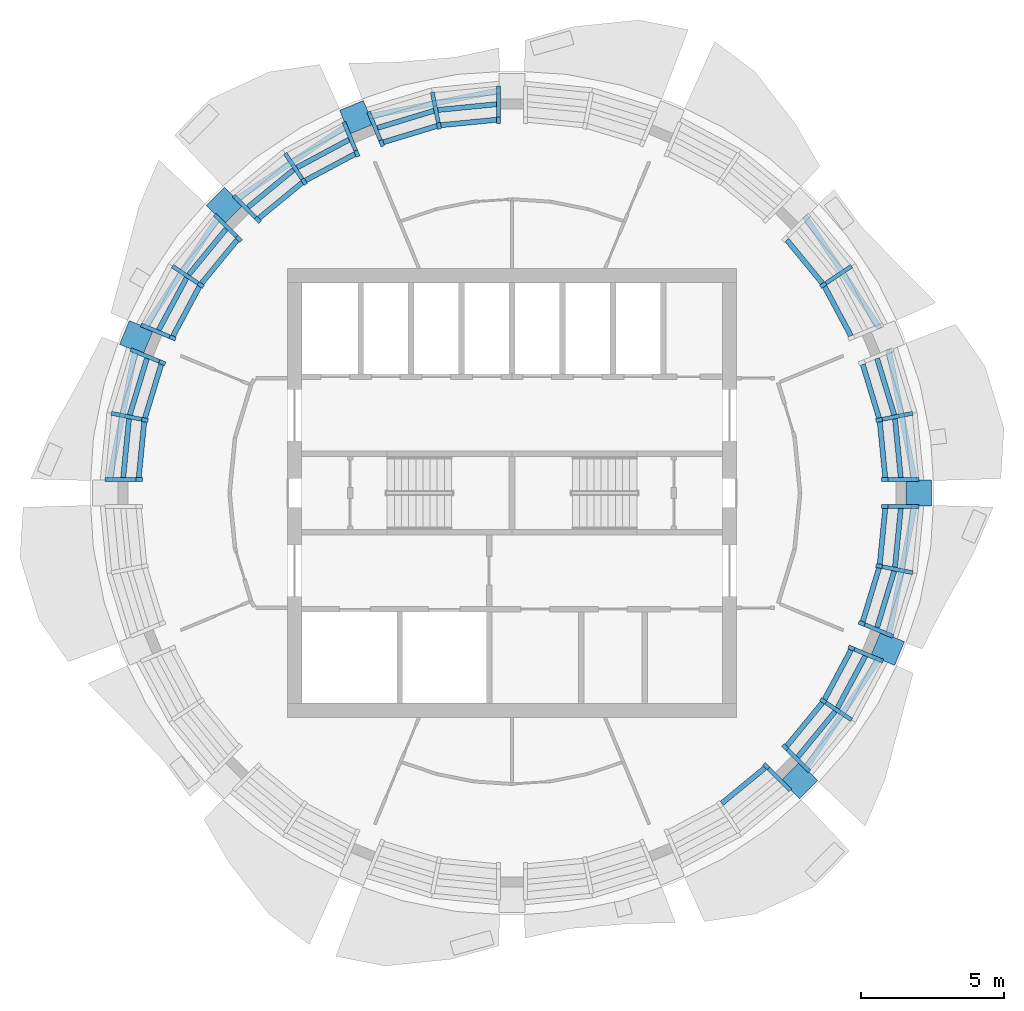
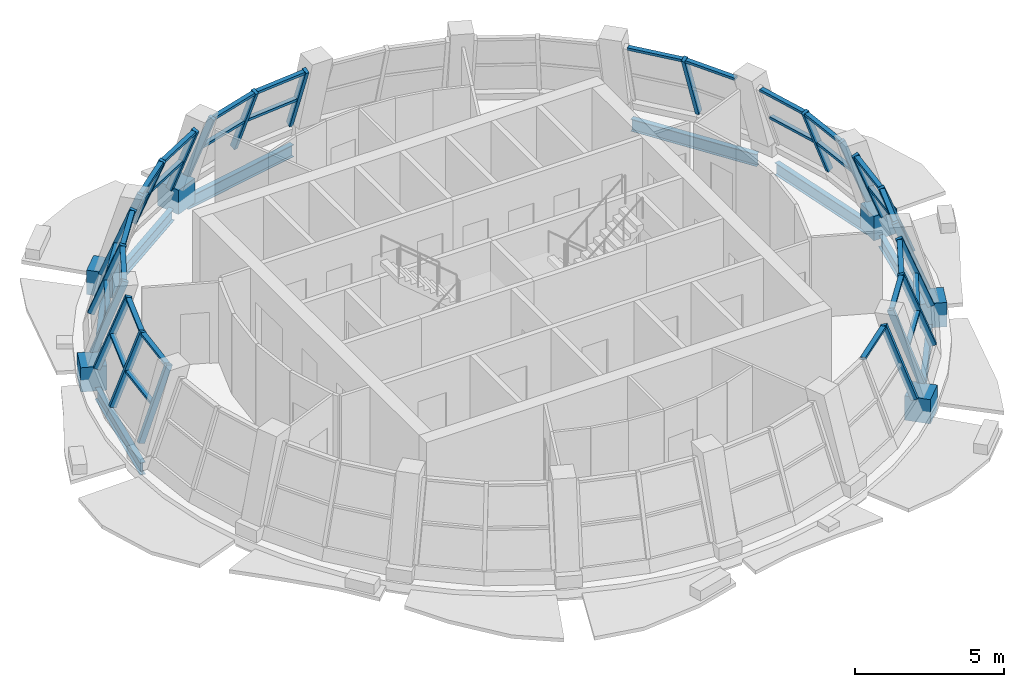
# One storey, part 2 of 12: 59 members, 8 beams, 9 elements without a shape of their own.
"""IFC4 building model written with IfcOpenShell, lengths in metres."""

from ifc_helpers import new_model, si_unit, direction, frame, origin, origin_2d, place, context, subcontext, project, spatial, rectangle, i_section, extrude, material, material_profile, profile_set, type_object, element, aggregate, save


model = new_model("IFC4")

# Units and contexts
model_context = context("Model", 3, precision=1e-05, world=origin(), true_north=direction((0.0, 1.0)))
body_context = subcontext(model_context, "Body", "Model", "MODEL_VIEW")
ifc_project = project(units=[si_unit("LENGTHUNIT", "METRE"), si_unit("AREAUNIT", "SQUARE_METRE"), si_unit("VOLUMEUNIT", "CUBIC_METRE"), si_unit("PLANEANGLEUNIT", "RADIAN"), si_unit("MASSUNIT", "GRAM", prefix="KILO")], contexts=[model_context])

# Site, building, storey
site_placement = place(None, origin())
site = spatial("IfcSite", under=ifc_project, at=site_placement, CompositionType="ELEMENT")
building_placement = place(site_placement, origin())
building = spatial("IfcBuilding", under=site, at=building_placement, Name="Polderwave Tower", CompositionType="ELEMENT")
storey_placement = place(building_placement, frame((0.0, 0.0, 231.199951171875)))
storey = spatial("IfcBuildingStorey", under=building, at=storey_placement, Name="L63", CompositionType="ELEMENT", Elevation=231.199951171875)

# Members
ifc_material_1 = material(Name="Concrete C60/75", Category="concrete")
ifc_material_profile_1 = material_profile(ifc_material_1, rectangle(XDim=0.89990234375, YDim=0.89990234375, at=origin_2d()), Name="RC 900x900")
ifc_profile_set_1 = profile_set([ifc_material_profile_1], Name="Concrete C60/75")
member_type_1 = type_object("IfcMemberType", Name="RC NODE 900x900 C60/75", PredefinedType="POST", material=ifc_profile_set_1)
for number, where, z_axis, x_axis, name in (
    (1, (14.253662109375, 0.0, -0.5), (0.0, 0.0, 1.0), (1.0, 0.0, 0.0), "Ring column node 01"),
    (2, (-5.45458984375, 13.168701171875, -0.5), (0.0, 0.0, 1.0), (-0.382683432365, 0.923879532511, 0.0), "Ring column node 06"),
    (3, (-10.078857421875, 10.078857421875, -0.5), (0.0, 0.0, 1.0), (-0.707106781187, 0.707106781187, 0.0), "Ring column node 07"),
    (4, (-13.168701171875, 5.45458984375, -0.5), (0.0, 0.0, 1.0), (-0.923879532511, 0.382683432365, 0.0), "Ring column node 08"),
    (5, (10.078857421875, -10.078857421875, -0.5), (0.0, 0.0, 1.0), (0.707106781187, -0.707106781187, 0.0), "Ring column node 15"),
    (6, (13.168701171875, -5.45458984375, -0.5), (0.0, 0.0, 1.0), (0.923879532511, -0.382683432365, 0.0), "Ring column node 16"),
):
    element("IfcMember", number, at=place(storey_placement, frame(where, z_axis=z_axis, x_axis=x_axis)), inside=storey, type_object=member_type_1, Name=name, PredefinedType="POST", context=body_context, shape_type="SweptSolid", body=[
        extrude(rectangle(XDim=0.89990234375, YDim=0.89990234375, at=origin_2d()), origin(), (0.0, 0.0, 1.0), 1.0),
    ])

# Beams
ifc_material_2 = material(Name="Steel S355", Category="steel")
ifc_material_profile_2 = material_profile(ifc_material_2, i_section(OverallWidth=0.199951171875, OverallDepth=0.5, WebThickness=0.01025390625, FlangeThickness=0.01611328125, at=origin_2d()), Name="IPE 500")
ifc_profile_set_2 = profile_set([ifc_material_profile_2], Name="Steel S355")
beam_type = type_object("IfcBeamType", Name="RING BEAM IPE 500", PredefinedType="BEAM", material=ifc_profile_set_2)
for number, where, z_axis, x_axis, name in (
    (7, (14.120361328125, 0.39990234375, -0.599853515625), (-0.19505281805, 0.980792739661, 0.0), (-0.980792739661, -0.19505281805, 0.0), "ST-RB-L63-00"),
    (8, (12.892578125, 5.773193359375, -0.599853515625), (-0.55555842186, 0.831477504146, 0.0), (-0.831477504146, -0.55555842186, 0.0), "ST-RB-L63-01"),
    (9, (-0.39990234375, 14.120361328125, -0.599853515625), (-0.980792739661, -0.19505281805, 0.0), (0.19505281805, -0.980792739661, 0.0), "ST-RB-L63-04"),
    (10, (-5.773193359375, 12.892578125, -0.599853515625), (-0.831477504146, -0.55555842186, 0.0), (0.55555842186, -0.831477504146, 0.0), "ST-RB-L63-05"),
    (11, (-10.267578125, 9.701904296875, -0.599853515625), (-0.55555842186, -0.831477504146, 0.0), (0.831477504146, -0.55555842186, 0.0), "ST-RB-L63-06"),
    (12, (-13.19873046875, 5.0341796875, -0.599853515625), (-0.19505281805, -0.980792739661, 0.0), (0.980792739661, -0.19505281805, 0.0), "ST-RB-L63-07"),
    (13, (10.267578125, -9.701904296875, -0.599853515625), (0.55555842186, 0.831477504146, 0.0), (-0.831477504146, 0.55555842186, 0.0), "ST-RB-L63-14"),
    (14, (13.19873046875, -5.0341796875, -0.599853515625), (0.19505281805, 0.980792739661, 0.0), (-0.980792739661, 0.19505281805, 0.0), "ST-RB-L63-15"),
):
    element("IfcBeam", number, at=place(storey_placement, frame(where, z_axis=z_axis, x_axis=x_axis)), inside=storey, type_object=beam_type, Name=name, PredefinedType="BEAM", context=body_context, shape_type="SweptSolid", body=[
        extrude(i_section(OverallWidth=0.199951171875, OverallDepth=0.5, WebThickness=0.01025390625, FlangeThickness=0.01611328125, at=origin_2d()), origin(), (0.0, 0.0, 1.0), 4.72509765625),
    ])

# Curtain wall, members
ifc_material_3 = material(Name="Aluminium 6063-T6 and glass", Category="aluminium")
curtain_wall_type = type_object("IfcCurtainWallType", Name="Sky floor glazing, leaning storey wall", PredefinedType="NOTDEFINED", material=ifc_material_3)
curtain_wall_1_placement = place(storey_placement, origin())
curtain_wall_1 = element("IfcCurtainWall", 15, at=curtain_wall_1_placement, inside=storey, type_object=curtain_wall_type, Name="CW10 L63 00", PredefinedType="NOTDEFINED")
ifc_material_4 = material(Name="Aluminium 6063-T6", Category="aluminium")
ifc_material_profile_3 = material_profile(ifc_material_4, rectangle(XDim=0.139892578125, YDim=0.239990234375, at=origin_2d()), Name="AL 140x240")
ifc_profile_set_3 = profile_set([ifc_material_profile_3], Name="Aluminium 6063-T6")
member_type_2 = type_object("IfcMemberType", Name="Sky floor glazing, leaning storey mullion 140x240", PredefinedType="MULLION", material=ifc_profile_set_3)
member_1_placement = place(storey_placement, frame((14.160400390625, 0.4697265625, 0.449951171875), z_axis=(-0.35639800773, 0.0, 0.934334233605), x_axis=(0.0, -1.0, 0.0)))
member_1 = element("IfcMember", 16, at=member_1_placement, type_object=member_type_2, Name="CW10 mullion 1", PredefinedType="MULLION", context=body_context, shape_type="SweptSolid", body=[
    extrude(rectangle(XDim=0.139892578125, YDim=0.239990234375, at=origin_2d()), origin(), (0.0, 0.0, 1.0), 3.05029296875),
])
member_2_placement = place(storey_placement, frame((13.93359375, 2.771484375, 0.449951171875), z_axis=(-0.349384012277, -0.069316507361, 0.934412132719), x_axis=(0.194603395436, -0.980882010481, 0.0)))
member_2 = element("IfcMember", 17, at=member_2_placement, type_object=member_type_2, Name="CW10 mullion 2", PredefinedType="MULLION", context=body_context, shape_type="SweptSolid", body=[
    extrude(rectangle(XDim=0.139892578125, YDim=0.239990234375, at=origin_2d()), origin(), (0.0, 0.0, 1.0), 3.050048828125),
])

# Curtain wall, member
curtain_wall_2_placement = place(storey_placement, origin())
curtain_wall_2 = element("IfcCurtainWall", 18, at=curtain_wall_2_placement, inside=storey, type_object=curtain_wall_type, Name="CW10 L63 01", PredefinedType="NOTDEFINED")
member_3_placement = place(storey_placement, frame((11.8125, 7.892578125, 0.449951171875), z_axis=(-0.296231272035, -0.197861038765, 0.934397154751), x_axis=(0.555425896487, -0.831566036771, 0.0)))
member_3 = element("IfcMember", 19, at=member_3_placement, type_object=member_type_2, Name="CW10 mullion 2", PredefinedType="MULLION", context=body_context, shape_type="SweptSolid", body=[
    extrude(rectangle(XDim=0.139892578125, YDim=0.239990234375, at=origin_2d()), origin(), (0.0, 0.0, 1.0), 3.05029296875),
])

# Curtain wall, members
curtain_wall_3_placement = place(storey_placement, origin())
curtain_wall_3 = element("IfcCurtainWall", 20, at=curtain_wall_3_placement, inside=storey, type_object=curtain_wall_type, Name="CW10 L63 04", PredefinedType="NOTDEFINED")
member_4_placement = place(storey_placement, frame((-0.4697265625, 14.160400390625, 0.449951171875), z_axis=(0.0, -0.35639800773, 0.934334233605), x_axis=(1.0, 0.0, 0.0)))
member_4 = element("IfcMember", 21, at=member_4_placement, type_object=member_type_2, Name="CW10 mullion 1", PredefinedType="MULLION", context=body_context, shape_type="SweptSolid", body=[
    extrude(rectangle(XDim=0.139892578125, YDim=0.239990234375, at=origin_2d()), origin(), (0.0, 0.0, 1.0), 3.05029296875),
])
member_5_placement = place(storey_placement, frame((-2.771484375, 13.93359375, 0.449951171875), z_axis=(0.069316507361, -0.349384012277, 0.934412132719), x_axis=(0.980882010481, 0.194603395436, 0.0)))
member_5 = element("IfcMember", 22, at=member_5_placement, type_object=member_type_2, Name="CW10 mullion 2", PredefinedType="MULLION", context=body_context, shape_type="SweptSolid", body=[
    extrude(rectangle(XDim=0.139892578125, YDim=0.239990234375, at=origin_2d()), origin(), (0.0, 0.0, 1.0), 3.050048828125),
])
member_6_placement = place(storey_placement, frame((-4.9853515625, 13.2626953125, 0.449951171875), z_axis=(0.136459270255, -0.32926301339, 0.934325818746), x_axis=(0.923806046663, 0.38286079474, 0.0)))
member_6 = element("IfcMember", 23, at=member_6_placement, type_object=member_type_2, Name="CW10 mullion 3", PredefinedType="MULLION", context=body_context, shape_type="SweptSolid", body=[
    extrude(rectangle(XDim=0.139892578125, YDim=0.239990234375, at=origin_2d()), origin(), (0.0, 0.0, 1.0), 3.050537109375),
])

curtain_wall_4_placement = place(storey_placement, origin())
curtain_wall_4 = element("IfcCurtainWall", 24, at=curtain_wall_4_placement, inside=storey, type_object=curtain_wall_type, Name="CW10 L63 05", PredefinedType="NOTDEFINED")
member_7_placement = place(storey_placement, frame((-5.85302734375, 12.9033203125, 0.449951171875), z_axis=(0.136459270255, -0.32926301339, 0.934325818746), x_axis=(0.923806046663, 0.38286079474, 0.0)))
member_7 = element("IfcMember", 25, at=member_7_placement, type_object=member_type_2, Name="CW10 mullion 1", PredefinedType="MULLION", context=body_context, shape_type="SweptSolid", body=[
    extrude(rectangle(XDim=0.139892578125, YDim=0.239990234375, at=origin_2d()), origin(), (0.0, 0.0, 1.0), 3.050537109375),
])
member_8_placement = place(storey_placement, frame((-7.892578125, 11.8125, 0.449951171875), z_axis=(0.197861038765, -0.296231272035, 0.934397154751), x_axis=(0.831566036771, 0.555425896487, 0.0)))
member_8 = element("IfcMember", 26, at=member_8_placement, type_object=member_type_2, Name="CW10 mullion 2", PredefinedType="MULLION", context=body_context, shape_type="SweptSolid", body=[
    extrude(rectangle(XDim=0.139892578125, YDim=0.239990234375, at=origin_2d()), origin(), (0.0, 0.0, 1.0), 3.05029296875),
])
member_9_placement = place(storey_placement, frame((-9.681396484375, 10.344970703125, 0.449951171875), z_axis=(0.252259079378, -0.251938953643, 0.934286958332), x_axis=(0.706657682065, 0.707555595257, 0.0)))
member_9 = element("IfcMember", 27, at=member_9_placement, type_object=member_type_2, Name="CW10 mullion 3", PredefinedType="MULLION", context=body_context, shape_type="SweptSolid", body=[
    extrude(rectangle(XDim=0.139892578125, YDim=0.239990234375, at=origin_2d()), origin(), (0.0, 0.0, 1.0), 3.050537109375),
])

curtain_wall_5_placement = place(storey_placement, origin())
curtain_wall_5 = element("IfcCurtainWall", 28, at=curtain_wall_5_placement, inside=storey, type_object=curtain_wall_type, Name="CW10 L63 06", PredefinedType="NOTDEFINED")
member_10_placement = place(storey_placement, frame((-10.344970703125, 9.681396484375, 0.449951171875), z_axis=(0.251938953643, -0.252259079378, 0.934286958332), x_axis=(0.707555595257, 0.706657682065, 0.0)))
member_10 = element("IfcMember", 29, at=member_10_placement, type_object=member_type_2, Name="CW10 mullion 1", PredefinedType="MULLION", context=body_context, shape_type="SweptSolid", body=[
    extrude(rectangle(XDim=0.139892578125, YDim=0.239990234375, at=origin_2d()), origin(), (0.0, 0.0, 1.0), 3.050537109375),
])
member_11_placement = place(storey_placement, frame((-11.8125, 7.892578125, 0.449951171875), z_axis=(0.296231272035, -0.197861038765, 0.934397154751), x_axis=(0.555425896487, 0.831566036771, 0.0)))
member_11 = element("IfcMember", 30, at=member_11_placement, type_object=member_type_2, Name="CW10 mullion 2", PredefinedType="MULLION", context=body_context, shape_type="SweptSolid", body=[
    extrude(rectangle(XDim=0.139892578125, YDim=0.239990234375, at=origin_2d()), origin(), (0.0, 0.0, 1.0), 3.05029296875),
])
member_12_placement = place(storey_placement, frame((-12.9033203125, 5.85302734375, 0.449951171875), z_axis=(0.32926301339, -0.136459270255, 0.934325818746), x_axis=(0.38286079474, 0.923806046663, 0.0)))
member_12 = element("IfcMember", 31, at=member_12_placement, type_object=member_type_2, Name="CW10 mullion 3", PredefinedType="MULLION", context=body_context, shape_type="SweptSolid", body=[
    extrude(rectangle(XDim=0.139892578125, YDim=0.239990234375, at=origin_2d()), origin(), (0.0, 0.0, 1.0), 3.050537109375),
])

curtain_wall_6_placement = place(storey_placement, origin())
curtain_wall_6 = element("IfcCurtainWall", 32, at=curtain_wall_6_placement, inside=storey, type_object=curtain_wall_type, Name="CW10 L63 07", PredefinedType="NOTDEFINED")
member_13_placement = place(storey_placement, frame((-13.2626953125, 4.9853515625, 0.449951171875), z_axis=(0.32926301339, -0.136459270255, 0.934325818746), x_axis=(0.38286079474, 0.923806046663, 0.0)))
member_13 = element("IfcMember", 33, at=member_13_placement, type_object=member_type_2, Name="CW10 mullion 1", PredefinedType="MULLION", context=body_context, shape_type="SweptSolid", body=[
    extrude(rectangle(XDim=0.139892578125, YDim=0.239990234375, at=origin_2d()), origin(), (0.0, 0.0, 1.0), 3.050537109375),
])
member_14_placement = place(storey_placement, frame((-13.93359375, 2.771484375, 0.449951171875), z_axis=(0.349384012277, -0.069316507361, 0.934412132719), x_axis=(0.194603395436, 0.980882010481, 0.0)))
member_14 = element("IfcMember", 34, at=member_14_placement, type_object=member_type_2, Name="CW10 mullion 2", PredefinedType="MULLION", context=body_context, shape_type="SweptSolid", body=[
    extrude(rectangle(XDim=0.139892578125, YDim=0.239990234375, at=origin_2d()), origin(), (0.0, 0.0, 1.0), 3.050048828125),
])
member_15_placement = place(storey_placement, frame((-14.160400390625, 0.4697265625, 0.449951171875), z_axis=(0.35639800773, 0.0, 0.934334233605), x_axis=(0.0, 1.0, 0.0)))
member_15 = element("IfcMember", 35, at=member_15_placement, type_object=member_type_2, Name="CW10 mullion 3", PredefinedType="MULLION", context=body_context, shape_type="SweptSolid", body=[
    extrude(rectangle(XDim=0.139892578125, YDim=0.239990234375, at=origin_2d()), origin(), (0.0, 0.0, 1.0), 3.05029296875),
])

# Curtain wall, member
curtain_wall_7_placement = place(storey_placement, origin())
curtain_wall_7 = element("IfcCurtainWall", 36, at=curtain_wall_7_placement, inside=storey, type_object=curtain_wall_type, Name="CW10 L63 13", PredefinedType="NOTDEFINED")
member_16_placement = place(storey_placement, frame((9.681396484375, -10.344970703125, 0.449951171875), z_axis=(-0.252259079378, 0.251938953643, 0.934286958332), x_axis=(-0.706657682065, -0.707555595257, 0.0)))
member_16 = element("IfcMember", 37, at=member_16_placement, type_object=member_type_2, Name="CW10 mullion 3", PredefinedType="MULLION", context=body_context, shape_type="SweptSolid", body=[
    extrude(rectangle(XDim=0.139892578125, YDim=0.239990234375, at=origin_2d()), origin(), (0.0, 0.0, 1.0), 3.050537109375),
])

# Curtain wall, members
curtain_wall_8_placement = place(storey_placement, origin())
curtain_wall_8 = element("IfcCurtainWall", 38, at=curtain_wall_8_placement, inside=storey, type_object=curtain_wall_type, Name="CW10 L63 14", PredefinedType="NOTDEFINED")
member_17_placement = place(storey_placement, frame((10.344970703125, -9.681396484375, 0.449951171875), z_axis=(-0.251938953643, 0.252259079378, 0.934286958332), x_axis=(-0.707555595257, -0.706657682065, 0.0)))
member_17 = element("IfcMember", 39, at=member_17_placement, type_object=member_type_2, Name="CW10 mullion 1", PredefinedType="MULLION", context=body_context, shape_type="SweptSolid", body=[
    extrude(rectangle(XDim=0.139892578125, YDim=0.239990234375, at=origin_2d()), origin(), (0.0, 0.0, 1.0), 3.050537109375),
])
member_18_placement = place(storey_placement, frame((11.8125, -7.892578125, 0.449951171875), z_axis=(-0.296231272035, 0.197861038765, 0.934397154751), x_axis=(-0.555425896487, -0.831566036771, 0.0)))
member_18 = element("IfcMember", 40, at=member_18_placement, type_object=member_type_2, Name="CW10 mullion 2", PredefinedType="MULLION", context=body_context, shape_type="SweptSolid", body=[
    extrude(rectangle(XDim=0.139892578125, YDim=0.239990234375, at=origin_2d()), origin(), (0.0, 0.0, 1.0), 3.05029296875),
])
member_19_placement = place(storey_placement, frame((12.9033203125, -5.85302734375, 0.449951171875), z_axis=(-0.32926301339, 0.136459270255, 0.934325818746), x_axis=(-0.38286079474, -0.923806046663, 0.0)))
member_19 = element("IfcMember", 41, at=member_19_placement, type_object=member_type_2, Name="CW10 mullion 3", PredefinedType="MULLION", context=body_context, shape_type="SweptSolid", body=[
    extrude(rectangle(XDim=0.139892578125, YDim=0.239990234375, at=origin_2d()), origin(), (0.0, 0.0, 1.0), 3.050537109375),
])

curtain_wall_9_placement = place(storey_placement, origin())
curtain_wall_9 = element("IfcCurtainWall", 42, at=curtain_wall_9_placement, inside=storey, type_object=curtain_wall_type, Name="CW10 L63 15", PredefinedType="NOTDEFINED")
member_20_placement = place(storey_placement, frame((13.2626953125, -4.9853515625, 0.449951171875), z_axis=(-0.32926301339, 0.136459270255, 0.934325818746), x_axis=(-0.38286079474, -0.923806046663, 0.0)))
member_20 = element("IfcMember", 43, at=member_20_placement, type_object=member_type_2, Name="CW10 mullion 1", PredefinedType="MULLION", context=body_context, shape_type="SweptSolid", body=[
    extrude(rectangle(XDim=0.139892578125, YDim=0.239990234375, at=origin_2d()), origin(), (0.0, 0.0, 1.0), 3.050537109375),
])
member_21_placement = place(storey_placement, frame((13.93359375, -2.771484375, 0.449951171875), z_axis=(-0.349384012277, 0.069316507361, 0.934412132719), x_axis=(-0.194603395436, -0.980882010481, 0.0)))
member_21 = element("IfcMember", 44, at=member_21_placement, type_object=member_type_2, Name="CW10 mullion 2", PredefinedType="MULLION", context=body_context, shape_type="SweptSolid", body=[
    extrude(rectangle(XDim=0.139892578125, YDim=0.239990234375, at=origin_2d()), origin(), (0.0, 0.0, 1.0), 3.050048828125),
])
member_22_placement = place(storey_placement, frame((14.160400390625, -0.4697265625, 0.449951171875), z_axis=(-0.35639800773, 0.0, 0.934334233605), x_axis=(0.0, -1.0, 0.0)))
member_22 = element("IfcMember", 45, at=member_22_placement, type_object=member_type_2, Name="CW10 mullion 3", PredefinedType="MULLION", context=body_context, shape_type="SweptSolid", body=[
    extrude(rectangle(XDim=0.139892578125, YDim=0.239990234375, at=origin_2d()), origin(), (0.0, 0.0, 1.0), 3.05029296875),
])

# Member
ifc_material_profile_4 = material_profile(ifc_material_4, rectangle(XDim=0.179931640625, YDim=0.10009765625, at=origin_2d()), Name="AL 100x180")
ifc_profile_set_4 = profile_set([ifc_material_profile_4], Name="Aluminium 6063-T6")
member_type_3 = type_object("IfcMemberType", Name="Sky floor glazing, leaning storey transom 100x180", PredefinedType="USERDEFINED", material=ifc_profile_set_4)
member_23_placement = place(storey_placement, frame((13.62890625, 0.539306640625, 1.824951171875), z_axis=(-0.097752337665, 0.995210771888, 0.0), x_axis=(-0.995210771888, -0.097752337665, 0.0)))
member_23 = element("IfcMember", 46, at=member_23_placement, type_object=member_type_3, Name="CW10 transom 1", ObjectType="TRANSOM", PredefinedType="USERDEFINED", context=body_context, shape_type="SweptSolid", body=[
    extrude(rectangle(XDim=0.179931640625, YDim=0.10009765625, at=origin_2d()), origin(), (0.0, 0.0, 1.0), 2.070556640625),
])

member_24_placement = place(storey_placement, frame((13.08544921875, 0.539306640625, 3.25), z_axis=(-0.097706619467, 0.995215261394, 0.0), x_axis=(-0.995215261394, -0.097706619467, 0.0)))
member_24 = element("IfcMember", 47, at=member_24_placement, type_object=member_type_3, Name="CW10 transom 2", ObjectType="TRANSOM", PredefinedType="USERDEFINED", context=body_context, shape_type="SweptSolid", body=[
    extrude(rectangle(XDim=0.179931640625, YDim=0.10009765625, at=origin_2d()), origin(), (0.0, 0.0, 1.0), 1.9638671875),
])

member_25_placement = place(storey_placement, frame((13.3994140625, 2.736572265625, 1.824951171875), z_axis=(-0.290354335272, 0.956919202435, 0.0), x_axis=(-0.956919202435, -0.290354335272, 0.0)))
member_25 = element("IfcMember", 48, at=member_25_placement, type_object=member_type_3, Name="CW10 transom 3", ObjectType="TRANSOM", PredefinedType="USERDEFINED", context=body_context, shape_type="SweptSolid", body=[
    extrude(rectangle(XDim=0.179931640625, YDim=0.10009765625, at=origin_2d()), origin(), (0.0, 0.0, 1.0), 2.070068359375),
])

member_26_placement = place(storey_placement, frame((12.866455078125, 2.630615234375, 3.25), z_axis=(-0.290369772584, 0.956914518215, 0.0), x_axis=(-0.956914518215, -0.290369772584, 0.0)))
member_26 = element("IfcMember", 49, at=member_26_placement, type_object=member_type_3, Name="CW10 transom 4", ObjectType="TRANSOM", PredefinedType="USERDEFINED", context=body_context, shape_type="SweptSolid", body=[
    extrude(rectangle(XDim=0.179931640625, YDim=0.10009765625, at=origin_2d()), origin(), (0.0, 0.0, 1.0), 1.963134765625),
])

aggregate(curtain_wall_1, [member_1, member_2, member_23, member_24, member_25, member_26])

member_27_placement = place(storey_placement, frame((11.883544921875, 5.505859375, 3.25), z_axis=(-0.471317248998, 0.881963746872, 0.0), x_axis=(-0.881963746872, -0.471317248998, 0.0)))
member_27 = element("IfcMember", 50, at=member_27_placement, type_object=member_type_3, Name="CW10 transom 2", ObjectType="TRANSOM", PredefinedType="USERDEFINED", context=body_context, shape_type="SweptSolid", body=[
    extrude(rectangle(XDim=0.179931640625, YDim=0.10009765625, at=origin_2d()), origin(), (0.0, 0.0, 1.0), 1.963623046875),
])

member_28_placement = place(storey_placement, frame((10.880615234375, 7.353759765625, 3.25), z_axis=(-0.634665186875, 0.772787228524, 0.0), x_axis=(-0.772787228524, -0.634665186875, 0.0)))
member_28 = element("IfcMember", 51, at=member_28_placement, type_object=member_type_3, Name="CW10 transom 4", ObjectType="TRANSOM", PredefinedType="USERDEFINED", context=body_context, shape_type="SweptSolid", body=[
    extrude(rectangle(XDim=0.179931640625, YDim=0.10009765625, at=origin_2d()), origin(), (0.0, 0.0, 1.0), 1.9638671875),
])

aggregate(curtain_wall_2, [member_3, member_27, member_28])

member_29_placement = place(storey_placement, frame((-0.539306640625, 13.62890625, 1.824951171875), z_axis=(-0.995210771888, -0.097752337665, 0.0), x_axis=(0.097752337665, -0.995210771888, 0.0)))
member_29 = element("IfcMember", 52, at=member_29_placement, type_object=member_type_3, Name="CW10 transom 1", ObjectType="TRANSOM", PredefinedType="USERDEFINED", context=body_context, shape_type="SweptSolid", body=[
    extrude(rectangle(XDim=0.179931640625, YDim=0.10009765625, at=origin_2d()), origin(), (0.0, 0.0, 1.0), 2.070556640625),
])

member_30_placement = place(storey_placement, frame((-0.539306640625, 13.08544921875, 3.25), z_axis=(-0.995215261394, -0.097706619467, 0.0), x_axis=(0.097706619467, -0.995215261394, 0.0)))
member_30 = element("IfcMember", 53, at=member_30_placement, type_object=member_type_3, Name="CW10 transom 2", ObjectType="TRANSOM", PredefinedType="USERDEFINED", context=body_context, shape_type="SweptSolid", body=[
    extrude(rectangle(XDim=0.179931640625, YDim=0.10009765625, at=origin_2d()), origin(), (0.0, 0.0, 1.0), 1.9638671875),
])

member_31_placement = place(storey_placement, frame((-2.736572265625, 13.3994140625, 1.824951171875), z_axis=(-0.956919202435, -0.290354335272, 0.0), x_axis=(0.290354335272, -0.956919202435, 0.0)))
member_31 = element("IfcMember", 54, at=member_31_placement, type_object=member_type_3, Name="CW10 transom 3", ObjectType="TRANSOM", PredefinedType="USERDEFINED", context=body_context, shape_type="SweptSolid", body=[
    extrude(rectangle(XDim=0.179931640625, YDim=0.10009765625, at=origin_2d()), origin(), (0.0, 0.0, 1.0), 2.070068359375),
])

member_32_placement = place(storey_placement, frame((-2.630615234375, 12.866455078125, 3.25), z_axis=(-0.956914518215, -0.290369772584, 0.0), x_axis=(0.290369772584, -0.956914518215, 0.0)))
member_32 = element("IfcMember", 55, at=member_32_placement, type_object=member_type_3, Name="CW10 transom 4", ObjectType="TRANSOM", PredefinedType="USERDEFINED", context=body_context, shape_type="SweptSolid", body=[
    extrude(rectangle(XDim=0.179931640625, YDim=0.10009765625, at=origin_2d()), origin(), (0.0, 0.0, 1.0), 1.963134765625),
])

aggregate(curtain_wall_3, [member_4, member_5, member_6, member_29, member_30, member_31, member_32])

member_33_placement = place(storey_placement, frame((-5.7138671875, 12.3857421875, 1.824951171875), z_axis=(-0.881853058462, -0.471524318865, 0.0), x_axis=(0.471524318865, -0.881853058462, 0.0)))
member_33 = element("IfcMember", 56, at=member_33_placement, type_object=member_type_3, Name="CW10 transom 1", ObjectType="TRANSOM", PredefinedType="USERDEFINED", context=body_context, shape_type="SweptSolid", body=[
    extrude(rectangle(XDim=0.179931640625, YDim=0.10009765625, at=origin_2d()), origin(), (0.0, 0.0, 1.0), 2.070556640625),
])

member_34_placement = place(storey_placement, frame((-5.505859375, 11.883544921875, 3.25), z_axis=(-0.881963746872, -0.471317248998, 0.0), x_axis=(0.471317248998, -0.881963746872, 0.0)))
member_34 = element("IfcMember", 57, at=member_34_placement, type_object=member_type_3, Name="CW10 transom 2", ObjectType="TRANSOM", PredefinedType="USERDEFINED", context=body_context, shape_type="SweptSolid", body=[
    extrude(rectangle(XDim=0.179931640625, YDim=0.10009765625, at=origin_2d()), origin(), (0.0, 0.0, 1.0), 1.963623046875),
])

member_35_placement = place(storey_placement, frame((-7.655517578125, 11.33203125, 1.824951171875), z_axis=(-0.773031856348, -0.634367203653, 0.0), x_axis=(0.634367203653, -0.773031856348, 0.0)))
member_35 = element("IfcMember", 58, at=member_35_placement, type_object=member_type_3, Name="CW10 transom 3", ObjectType="TRANSOM", PredefinedType="USERDEFINED", context=body_context, shape_type="SweptSolid", body=[
    extrude(rectangle(XDim=0.179931640625, YDim=0.10009765625, at=origin_2d()), origin(), (0.0, 0.0, 1.0), 2.070556640625),
])

member_36_placement = place(storey_placement, frame((-7.353759765625, 10.880615234375, 3.25), z_axis=(-0.772787228524, -0.634665186875, 0.0), x_axis=(0.634665186875, -0.772787228524, 0.0)))
member_36 = element("IfcMember", 59, at=member_36_placement, type_object=member_type_3, Name="CW10 transom 4", ObjectType="TRANSOM", PredefinedType="USERDEFINED", context=body_context, shape_type="SweptSolid", body=[
    extrude(rectangle(XDim=0.179931640625, YDim=0.10009765625, at=origin_2d()), origin(), (0.0, 0.0, 1.0), 1.9638671875),
])

aggregate(curtain_wall_4, [member_7, member_8, member_9, member_33, member_34, member_35, member_36])

member_37_placement = place(storey_placement, frame((-10.0185546875, 9.256103515625, 1.824951171875), z_axis=(-0.634367203653, -0.773031856348, 0.0), x_axis=(0.773031856348, -0.634367203653, 0.0)))
member_37 = element("IfcMember", 60, at=member_37_placement, type_object=member_type_3, Name="CW10 transom 1", ObjectType="TRANSOM", PredefinedType="USERDEFINED", context=body_context, shape_type="SweptSolid", body=[
    extrude(rectangle(XDim=0.179931640625, YDim=0.10009765625, at=origin_2d()), origin(), (0.0, 0.0, 1.0), 2.070556640625),
])

member_38_placement = place(storey_placement, frame((-9.63427734375, 8.871337890625, 3.25), z_axis=(-0.634665186875, -0.772787228524, 0.0), x_axis=(0.772787228524, -0.634665186875, 0.0)))
member_38 = element("IfcMember", 61, at=member_38_placement, type_object=member_type_3, Name="CW10 transom 2", ObjectType="TRANSOM", PredefinedType="USERDEFINED", context=body_context, shape_type="SweptSolid", body=[
    extrude(rectangle(XDim=0.179931640625, YDim=0.10009765625, at=origin_2d()), origin(), (0.0, 0.0, 1.0), 1.9638671875),
])

member_39_placement = place(storey_placement, frame((-11.409423828125, 7.539794921875, 1.824951171875), z_axis=(-0.471524318865, -0.881853058462, 0.0), x_axis=(0.881853058462, -0.471524318865, 0.0)))
member_39 = element("IfcMember", 62, at=member_39_placement, type_object=member_type_3, Name="CW10 transom 3", ObjectType="TRANSOM", PredefinedType="USERDEFINED", context=body_context, shape_type="SweptSolid", body=[
    extrude(rectangle(XDim=0.179931640625, YDim=0.10009765625, at=origin_2d()), origin(), (0.0, 0.0, 1.0), 2.070556640625),
])

member_40_placement = place(storey_placement, frame((-10.9580078125, 7.23779296875, 3.25), z_axis=(-0.471317248998, -0.881963746872, 0.0), x_axis=(0.881963746872, -0.471317248998, 0.0)))
member_40 = element("IfcMember", 63, at=member_40_placement, type_object=member_type_3, Name="CW10 transom 4", ObjectType="TRANSOM", PredefinedType="USERDEFINED", context=body_context, shape_type="SweptSolid", body=[
    extrude(rectangle(XDim=0.179931640625, YDim=0.10009765625, at=origin_2d()), origin(), (0.0, 0.0, 1.0), 1.963623046875),
])

aggregate(curtain_wall_5, [member_10, member_11, member_12, member_37, member_38, member_39, member_40])

member_41_placement = place(storey_placement, frame((-12.79833984375, 4.717529296875, 1.824951171875), z_axis=(-0.290354335272, -0.956919202435, 0.0), x_axis=(0.956919202435, -0.290354335272, 0.0)))
member_41 = element("IfcMember", 64, at=member_41_placement, type_object=member_type_3, Name="CW10 transom 1", ObjectType="TRANSOM", PredefinedType="USERDEFINED", context=body_context, shape_type="SweptSolid", body=[
    extrude(rectangle(XDim=0.179931640625, YDim=0.10009765625, at=origin_2d()), origin(), (0.0, 0.0, 1.0), 2.070068359375),
])

member_42_placement = place(storey_placement, frame((-12.29638671875, 4.50927734375, 3.25), z_axis=(-0.290369772584, -0.956914518215, 0.0), x_axis=(0.956914518215, -0.290369772584, 0.0)))
member_42 = element("IfcMember", 65, at=member_42_placement, type_object=member_type_3, Name="CW10 transom 2", ObjectType="TRANSOM", PredefinedType="USERDEFINED", context=body_context, shape_type="SweptSolid", body=[
    extrude(rectangle(XDim=0.179931640625, YDim=0.10009765625, at=origin_2d()), origin(), (0.0, 0.0, 1.0), 1.963134765625),
])

member_43_placement = place(storey_placement, frame((-13.426513671875, 2.599853515625, 1.824951171875), z_axis=(-0.097752337665, -0.995210771888, 0.0), x_axis=(0.995210771888, -0.097752337665, 0.0)))
member_43 = element("IfcMember", 66, at=member_43_placement, type_object=member_type_3, Name="CW10 transom 3", ObjectType="TRANSOM", PredefinedType="USERDEFINED", context=body_context, shape_type="SweptSolid", body=[
    extrude(rectangle(XDim=0.179931640625, YDim=0.10009765625, at=origin_2d()), origin(), (0.0, 0.0, 1.0), 2.070556640625),
])

member_44_placement = place(storey_placement, frame((-12.8935546875, 2.493896484375, 3.25), z_axis=(-0.097706619467, -0.995215261394, 0.0), x_axis=(0.995215261394, -0.097706619467, 0.0)))
member_44 = element("IfcMember", 67, at=member_44_placement, type_object=member_type_3, Name="CW10 transom 4", ObjectType="TRANSOM", PredefinedType="USERDEFINED", context=body_context, shape_type="SweptSolid", body=[
    extrude(rectangle(XDim=0.179931640625, YDim=0.10009765625, at=origin_2d()), origin(), (0.0, 0.0, 1.0), 1.9638671875),
])

aggregate(curtain_wall_6, [member_13, member_14, member_15, member_41, member_42, member_43, member_44])

member_45_placement = place(storey_placement, frame((7.353759765625, -10.880615234375, 3.25), z_axis=(0.772787228524, 0.634665186875, 0.0), x_axis=(-0.634665186875, 0.772787228524, 0.0)))
member_45 = element("IfcMember", 68, at=member_45_placement, type_object=member_type_3, Name="CW10 transom 4", ObjectType="TRANSOM", PredefinedType="USERDEFINED", context=body_context, shape_type="SweptSolid", body=[
    extrude(rectangle(XDim=0.179931640625, YDim=0.10009765625, at=origin_2d()), origin(), (0.0, 0.0, 1.0), 1.9638671875),
])

aggregate(curtain_wall_7, [member_16, member_45])

member_46_placement = place(storey_placement, frame((10.0185546875, -9.256103515625, 1.824951171875), z_axis=(0.634367203653, 0.773031856348, 0.0), x_axis=(-0.773031856348, 0.634367203653, 0.0)))
member_46 = element("IfcMember", 69, at=member_46_placement, type_object=member_type_3, Name="CW10 transom 1", ObjectType="TRANSOM", PredefinedType="USERDEFINED", context=body_context, shape_type="SweptSolid", body=[
    extrude(rectangle(XDim=0.179931640625, YDim=0.10009765625, at=origin_2d()), origin(), (0.0, 0.0, 1.0), 2.070556640625),
])

member_47_placement = place(storey_placement, frame((9.63427734375, -8.871337890625, 3.25), z_axis=(0.634665186875, 0.772787228524, 0.0), x_axis=(-0.772787228524, 0.634665186875, 0.0)))
member_47 = element("IfcMember", 70, at=member_47_placement, type_object=member_type_3, Name="CW10 transom 2", ObjectType="TRANSOM", PredefinedType="USERDEFINED", context=body_context, shape_type="SweptSolid", body=[
    extrude(rectangle(XDim=0.179931640625, YDim=0.10009765625, at=origin_2d()), origin(), (0.0, 0.0, 1.0), 1.9638671875),
])

member_48_placement = place(storey_placement, frame((11.409423828125, -7.539794921875, 1.824951171875), z_axis=(0.471524318865, 0.881853058462, 0.0), x_axis=(-0.881853058462, 0.471524318865, 0.0)))
member_48 = element("IfcMember", 71, at=member_48_placement, type_object=member_type_3, Name="CW10 transom 3", ObjectType="TRANSOM", PredefinedType="USERDEFINED", context=body_context, shape_type="SweptSolid", body=[
    extrude(rectangle(XDim=0.179931640625, YDim=0.10009765625, at=origin_2d()), origin(), (0.0, 0.0, 1.0), 2.070556640625),
])

member_49_placement = place(storey_placement, frame((10.9580078125, -7.23779296875, 3.25), z_axis=(0.471317248998, 0.881963746872, 0.0), x_axis=(-0.881963746872, 0.471317248998, 0.0)))
member_49 = element("IfcMember", 72, at=member_49_placement, type_object=member_type_3, Name="CW10 transom 4", ObjectType="TRANSOM", PredefinedType="USERDEFINED", context=body_context, shape_type="SweptSolid", body=[
    extrude(rectangle(XDim=0.179931640625, YDim=0.10009765625, at=origin_2d()), origin(), (0.0, 0.0, 1.0), 1.963623046875),
])

aggregate(curtain_wall_8, [member_17, member_18, member_19, member_46, member_47, member_48, member_49])

member_50_placement = place(storey_placement, frame((12.79833984375, -4.717529296875, 1.824951171875), z_axis=(0.290354335272, 0.956919202435, 0.0), x_axis=(-0.956919202435, 0.290354335272, 0.0)))
member_50 = element("IfcMember", 73, at=member_50_placement, type_object=member_type_3, Name="CW10 transom 1", ObjectType="TRANSOM", PredefinedType="USERDEFINED", context=body_context, shape_type="SweptSolid", body=[
    extrude(rectangle(XDim=0.179931640625, YDim=0.10009765625, at=origin_2d()), origin(), (0.0, 0.0, 1.0), 2.070068359375),
])

member_51_placement = place(storey_placement, frame((12.29638671875, -4.50927734375, 3.25), z_axis=(0.290369772584, 0.956914518215, 0.0), x_axis=(-0.956914518215, 0.290369772584, 0.0)))
member_51 = element("IfcMember", 74, at=member_51_placement, type_object=member_type_3, Name="CW10 transom 2", ObjectType="TRANSOM", PredefinedType="USERDEFINED", context=body_context, shape_type="SweptSolid", body=[
    extrude(rectangle(XDim=0.179931640625, YDim=0.10009765625, at=origin_2d()), origin(), (0.0, 0.0, 1.0), 1.963134765625),
])

member_52_placement = place(storey_placement, frame((13.426513671875, -2.599853515625, 1.824951171875), z_axis=(0.097752337665, 0.995210771888, 0.0), x_axis=(-0.995210771888, 0.097752337665, 0.0)))
member_52 = element("IfcMember", 75, at=member_52_placement, type_object=member_type_3, Name="CW10 transom 3", ObjectType="TRANSOM", PredefinedType="USERDEFINED", context=body_context, shape_type="SweptSolid", body=[
    extrude(rectangle(XDim=0.179931640625, YDim=0.10009765625, at=origin_2d()), origin(), (0.0, 0.0, 1.0), 2.070556640625),
])

member_53_placement = place(storey_placement, frame((12.8935546875, -2.493896484375, 3.25), z_axis=(0.097706619467, 0.995215261394, 0.0), x_axis=(-0.995215261394, 0.097706619467, 0.0)))
member_53 = element("IfcMember", 76, at=member_53_placement, type_object=member_type_3, Name="CW10 transom 4", ObjectType="TRANSOM", PredefinedType="USERDEFINED", context=body_context, shape_type="SweptSolid", body=[
    extrude(rectangle(XDim=0.179931640625, YDim=0.10009765625, at=origin_2d()), origin(), (0.0, 0.0, 1.0), 1.9638671875),
])

aggregate(curtain_wall_9, [member_20, member_21, member_22, member_50, member_51, member_52, member_53])

save(model, "model.ifc")
